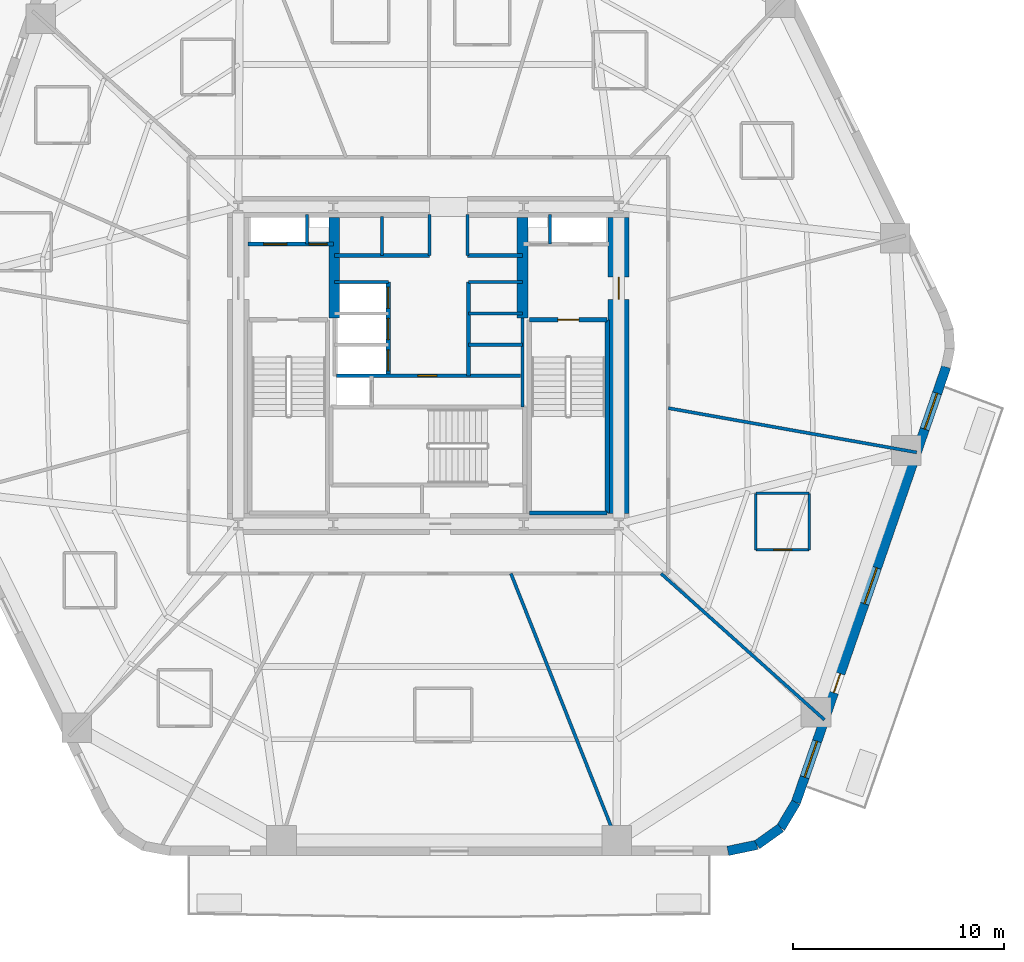
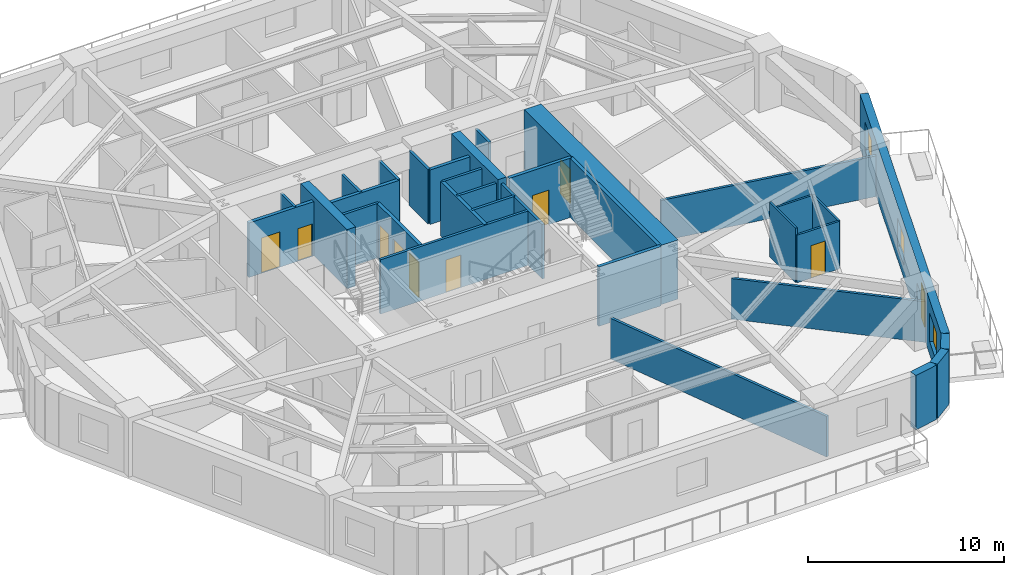
# One storey, part 4 of 10: 33 walls, 10 doors, 3 windows, 13 openings.
"""IFC4 building model written with IfcOpenShell, lengths in metres."""

from ifc_helpers import new_model, si_unit, direction, frame, frame_2d, origin, place, context, subcontext, project, spatial, rectangle, extrude, material, layer, layer_set, type_object, element, fill, save


model = new_model("IFC4")

# Units and contexts
model_context = context("Model", 3, precision=1e-05, world=origin(), true_north=direction((0.0, 1.0)))
body_context = subcontext(model_context, "Body", "Model", "MODEL_VIEW")
ifc_project = project(units=[si_unit("LENGTHUNIT", "METRE"), si_unit("AREAUNIT", "SQUARE_METRE"), si_unit("VOLUMEUNIT", "CUBIC_METRE"), si_unit("PLANEANGLEUNIT", "RADIAN"), si_unit("MASSUNIT", "GRAM", prefix="KILO")], contexts=[model_context])

# Site, building, storey
site_placement = place(None, origin())
site = spatial("IfcSite", under=ifc_project, at=site_placement, CompositionType="ELEMENT")
building_placement = place(site_placement, origin())
building = spatial("IfcBuilding", under=site, at=building_placement, Name="Kilnhurst Terrace Hotel", CompositionType="ELEMENT")
storey_placement = place(building_placement, frame((0.0, 0.0, 67.5)))
storey = spatial("IfcBuildingStorey", under=building, at=storey_placement, Name="L15", CompositionType="ELEMENT", Elevation=67.5)

# Walls
ifc_material_1 = material(Name="Precast concrete C40/50", Category="concrete")
ifc_layer_1 = layer(ifc_material_1, 0.449951171875, Name="Precast concrete C40/50")
ifc_layer_set_1 = layer_set([ifc_layer_1], Name="Precast concrete C40/50")
wall_type_1 = type_object("IfcWallType", Name="WL-BRK-450", PredefinedType="SOLIDWALL", material=ifc_layer_set_1)
wall_1_placement = place(storey_placement, frame((14.168212890625, -22.97509765625, 0.0), z_axis=(0.0, 0.0, 1.0), x_axis=(0.978770371074, 0.204959900243, 0.0)))
element("IfcWall", 1, at=wall_1_placement, inside=storey, type_object=wall_type_1, Name="L15 Rounded Corner Brick Wall C2.1", PredefinedType="SOLIDWALL", context=body_context, shape_type="SweptSolid", body=[
    extrude(rectangle(XDim=1.405517578125, YDim=0.449951171875, at=frame_2d((0.70263671875, 0.0))), origin(), (0.0, 0.0, 1.0), 3.39990234375),
])
wall_2_placement = place(storey_placement, frame((15.5439453125, -22.68701171875, 0.0), z_axis=(0.0, 0.0, 1.0), x_axis=(0.814210854316, 0.580569276412, 0.0)))
element("IfcWall", 2, at=wall_2_placement, inside=storey, type_object=wall_type_1, Name="L15 Rounded Corner Brick Wall C2.2", PredefinedType="SOLIDWALL", context=body_context, shape_type="SweptSolid", body=[
    extrude(rectangle(XDim=1.38134765625, YDim=0.449951171875, at=frame_2d((0.690673828125, 0.0))), origin(), (0.0, 0.0, 1.0), 3.39990234375),
])
wall_3_placement = place(storey_placement, frame((16.668701171875, -21.885009765625, 0.0), z_axis=(0.0, 0.0, 1.0), x_axis=(0.512936712947, 0.858426425799, 0.0)))
element("IfcWall", 3, at=wall_3_placement, inside=storey, type_object=wall_type_1, Name="L15 Rounded Corner Brick Wall C2.3", PredefinedType="SOLIDWALL", context=body_context, shape_type="SweptSolid", body=[
    extrude(rectangle(XDim=1.405517578125, YDim=0.449951171875, at=frame_2d((0.70263671875, 0.0))), origin(), (0.0, 0.0, 1.0), 3.39990234375),
])

# Wall, openings, door, windows
wall_4_placement = place(storey_placement, frame((17.3896484375, -20.678466796875, 0.0), z_axis=(0.0, 0.0, 1.0), x_axis=(0.326068018294, 0.945346310854, 0.0)))
wall_4 = element("IfcWall", 4, at=wall_4_placement, inside=storey, type_object=wall_type_1, Name="L15 Exterior Brick Facade Wall F2", PredefinedType="SOLIDWALL", context=body_context, shape_type="SweptSolid", body=[
    extrude(rectangle(XDim=21.79296875, YDim=0.449951171875, at=frame_2d((10.896484375, 0.0))), origin(), (0.0, 0.0, 1.0), 3.39990234375),
])
opening_1_placement = place(wall_4_placement, frame((5.492919921875, 0.0, 0.0)))
opening_1 = element("IfcOpeningElement", 5, at=opening_1_placement, cuts=wall_4, Name="Opening BD-950", PredefinedType="OPENING", context=body_context, shape_type="SweptSolid", body=[
    extrude(rectangle(XDim=0.949951171875, YDim=2.14990234375, at=frame_2d((0.47509765625, 1.074951171875))), frame((0.0, 0.23486328125, 0.0), z_axis=(0.0, -1.0, 0.0), x_axis=(1.0, 0.0, 0.0)), (0.0, 0.0, 1.0), 0.469970703125),
])
opening_2_placement = place(wall_4_placement, frame((1.260009765625, 0.0, 0.800048828125)))
opening_2 = element("IfcOpeningElement", 6, at=opening_2_placement, cuts=wall_4, Name="Opening W-01", PredefinedType="OPENING", context=body_context, shape_type="SweptSolid", body=[
    extrude(rectangle(XDim=1.800048828125, YDim=1.800048828125, at=frame_2d((0.89990234375, 0.89990234375))), frame((0.0, 0.23486328125, 0.0), z_axis=(0.0, -1.0, 0.0), x_axis=(1.0, 0.0, 0.0)), (0.0, 0.0, 1.0), 0.469970703125),
])
opening_3_placement = place(wall_4_placement, frame((9.943115234375, 0.0, 0.800048828125)))
opening_3 = element("IfcOpeningElement", 7, at=opening_3_placement, cuts=wall_4, Name="Opening W-01", PredefinedType="OPENING", context=body_context, shape_type="SweptSolid", body=[
    extrude(rectangle(XDim=1.800048828125, YDim=1.800048828125, at=frame_2d((0.89990234375, 0.89990234375))), frame((0.0, 0.23486328125, 0.0), z_axis=(0.0, -1.0, 0.0), x_axis=(1.0, 0.0, 0.0)), (0.0, 0.0, 1.0), 0.469970703125),
])
opening_4_placement = place(wall_4_placement, frame((18.679931640625, 0.0, 0.800048828125)))
opening_4 = element("IfcOpeningElement", 8, at=opening_4_placement, cuts=wall_4, Name="Opening W-01", PredefinedType="OPENING", context=body_context, shape_type="SweptSolid", body=[
    extrude(rectangle(XDim=1.800048828125, YDim=1.800048828125, at=frame_2d((0.89990234375, 0.89990234375))), frame((0.0, 0.23486328125, 0.0), z_axis=(0.0, -1.0, 0.0), x_axis=(1.0, 0.0, 0.0)), (0.0, 0.0, 1.0), 0.469970703125),
])
ifc_material_2 = material(Name="Thermally Broken Bronze Aluminium Alloy 6063-T6 and Laminated Glass", Category="aluminium")
door_type_1 = type_object("IfcDoorType", Name="DR-EXT-BAL-950", OperationType="NOTDEFINED", PredefinedType="DOOR", material=ifc_material_2)
door_1_placement = place(opening_1_placement, origin())
door_1 = element("IfcDoor", 9, at=door_1_placement, inside=storey, type_object=door_type_1, Name="L15 Planted Balcony Door BAL-L1B", OperationType="SINGLE_SWING_RIGHT", OverallHeight=2.14990234375, OverallWidth=0.949951171875, PredefinedType="DOOR", context=body_context, shape_type="SweptSolid", body=[
    extrude(rectangle(XDim=0.949951171875, YDim=2.14990234375, at=frame_2d((0.47509765625, 1.074951171875))), frame((0.0, 0.02490234375, 0.0), z_axis=(0.0, -1.0, 0.0), x_axis=(1.0, 0.0, 0.0)), (0.0, 0.0, 1.0), 0.050048828125),
])
fill(opening_1, door_1)
ifc_material_3 = material(Name="Thermally Broken Bronze Aluminium Alloy 6063-T6 and Low-E Glass", Category="aluminium")
window_type = type_object("IfcWindowType", Name="WIN-1800X1800", PartitioningType="SINGLE_PANEL", PredefinedType="WINDOW", material=ifc_material_3)
window_1_placement = place(opening_2_placement, origin())
window_1 = element("IfcWindow", 10, at=window_1_placement, inside=storey, type_object=window_type, Name="L15 Deep-Set Masonry Window F2.1", OverallHeight=1.800048828125, OverallWidth=1.800048828125, PartitioningType="SINGLE_PANEL", PredefinedType="WINDOW", context=body_context, shape_type="SweptSolid", body=[
    extrude(rectangle(XDim=1.800048828125, YDim=1.800048828125, at=frame_2d((0.89990234375, 0.89990234375))), frame((0.0, 0.030029296875, 0.0), z_axis=(0.0, -1.0, 0.0), x_axis=(1.0, 0.0, 0.0)), (0.0, 0.0, 1.0), 0.06005859375),
])
fill(opening_2, window_1)
window_2_placement = place(opening_3_placement, origin())
window_2 = element("IfcWindow", 11, at=window_2_placement, inside=storey, type_object=window_type, Name="L15 Deep-Set Masonry Window F2.2", OverallHeight=1.800048828125, OverallWidth=1.800048828125, PartitioningType="SINGLE_PANEL", PredefinedType="WINDOW", context=body_context, shape_type="SweptSolid", body=[
    extrude(rectangle(XDim=1.800048828125, YDim=1.800048828125, at=frame_2d((0.89990234375, 0.89990234375))), frame((0.0, 0.030029296875, 0.0), z_axis=(0.0, -1.0, 0.0), x_axis=(1.0, 0.0, 0.0)), (0.0, 0.0, 1.0), 0.06005859375),
])
fill(opening_3, window_2)
window_3_placement = place(opening_4_placement, origin())
window_3 = element("IfcWindow", 12, at=window_3_placement, inside=storey, type_object=window_type, Name="L15 Deep-Set Masonry Window F2.3", OverallHeight=1.800048828125, OverallWidth=1.800048828125, PartitioningType="SINGLE_PANEL", PredefinedType="WINDOW", context=body_context, shape_type="SweptSolid", body=[
    extrude(rectangle(XDim=1.800048828125, YDim=1.800048828125, at=frame_2d((0.89990234375, 0.89990234375))), frame((0.0, 0.030029296875, 0.0), z_axis=(0.0, -1.0, 0.0), x_axis=(1.0, 0.0, 0.0)), (0.0, 0.0, 1.0), 0.06005859375),
])
fill(opening_4, window_3)

# Wall, opening, door
ifc_material_4 = material(Name="Concrete C80/95", Category="concrete")
ifc_layer_2 = layer(ifc_material_4, 1.0, Name="Concrete C80/95")
ifc_layer_set_2 = layer_set([ifc_layer_2], Name="Concrete C80/95")
wall_type_2 = type_object("IfcWallType", Name="WL-CORE-1000", PredefinedType="SHEAR", material=ifc_layer_set_2)
wall_5_placement = place(storey_placement, frame((9.0, -7.0, 0.0), z_axis=(0.0, 0.0, 1.0), x_axis=(0.0, 1.0, 0.0)))
wall_5 = element("IfcWall", 13, at=wall_5_placement, inside=storey, type_object=wall_type_2, Name="L15 Core East Shear Wall", PredefinedType="SHEAR", context=body_context, shape_type="SweptSolid", body=[
    extrude(rectangle(XDim=14.0, YDim=1.0, at=frame_2d((7.0, 0.0))), origin(), (0.0, 0.0, 1.0), 3.699951171875),
])
opening_5_placement = place(wall_5_placement, frame((10.125, 0.0, 0.0)))
opening_5 = element("IfcOpeningElement", 14, at=opening_5_placement, cuts=wall_5, Name="Opening D-90A", PredefinedType="OPENING", context=body_context, shape_type="SweptSolid", body=[
    extrude(rectangle(XDim=1.050048828125, YDim=2.14990234375, at=frame_2d((0.52490234375, 1.074951171875))), frame((0.0, 0.510009765625, 0.0), z_axis=(0.0, -1.0, 0.0), x_axis=(1.0, 0.0, 0.0)), (0.0, 0.0, 1.0), 1.02001953125),
])
ifc_material_5 = material(Name="Painted Hollow Metal Steel ASTM A36 Fire Door", Category="steel")
door_type_2 = type_object("IfcDoorType", Name="DR-FD90-1050", OperationType="NOTDEFINED", PredefinedType="DOOR", material=ifc_material_5)
door_2_placement = place(opening_5_placement, origin())
door_2 = element("IfcDoor", 15, at=door_2_placement, inside=storey, type_object=door_type_2, Name="L15 East Firefighting Lobby Door", OperationType="SINGLE_SWING_LEFT", OverallHeight=2.14990234375, OverallWidth=1.050048828125, PredefinedType="DOOR", context=body_context, shape_type="SweptSolid", body=[
    extrude(rectangle(XDim=1.050048828125, YDim=2.14990234375, at=frame_2d((0.52490234375, 1.074951171875))), frame((0.0, 0.02490234375, 0.0), z_axis=(0.0, -1.0, 0.0), x_axis=(1.0, 0.0, 0.0)), (0.0, 0.0, 1.0), 0.050048828125),
])
fill(opening_5, door_2)

# Walls
ifc_material_6 = material(Name="Concrete C60/75", Category="concrete")
ifc_layer_3 = layer(ifc_material_6, 0.5, Name="Concrete C60/75")
ifc_layer_set_3 = layer_set([ifc_layer_3], Name="Concrete C60/75")
wall_type_3 = type_object("IfcWallType", Name="WL-CORE-WEB-500", PredefinedType="SHEAR", material=ifc_layer_set_3)
for number, where, z_axis, x_axis, name in (
    (16, (-4.449951171875, 2.25, 0.0), (0.0, 0.0, 1.0), (0.0, 1.0, 0.0), "L15 Core Internal West Shear Web"),
    (17, (4.449951171875, 2.25, 0.0), (0.0, 0.0, 1.0), (0.0, 1.0, 0.0), "L15 Core Internal East Shear Web"),
):
    element("IfcWall", number, at=place(storey_placement, frame(where, z_axis=z_axis, x_axis=x_axis)), inside=storey, type_object=wall_type_3, Name=name, PredefinedType="SHEAR", context=body_context, shape_type="SweptSolid", body=[
        extrude(rectangle(XDim=4.75, YDim=0.5, at=frame_2d((2.375, 0.0))), origin(), (0.0, 0.0, 1.0), 3.699951171875),
    ])
ifc_material_7 = material(Name="STC-58 Acoustic Twin-Frame Guestroom Demising Partition")
ifc_layer_4 = layer(ifc_material_7, 0.14990234375, Name="STC-58 Acoustic Twin-Frame Guestroom Demising Partition")
ifc_layer_set_4 = layer_set([ifc_layer_4], Name="STC-58 Acoustic Twin-Frame Guestroom Demising Partition")
wall_type_4 = type_object("IfcWallType", Name="WL-DEM-150", PredefinedType="PARTITIONING", material=ifc_layer_set_4)
wall_6_placement = place(storey_placement, frame((3.90185546875, -9.85009765625, 0.0), z_axis=(0.0, 0.0, 1.0), x_axis=(0.36828765711, -0.929711891728, 0.0)))
element("IfcWall", 18, at=wall_6_placement, inside=storey, type_object=wall_type_4, Name="L15 Interior Wall WL-L15-DEM-COL10-13-1", PredefinedType="PARTITIONING", context=body_context, shape_type="SweptSolid", body=[
    extrude(rectangle(XDim=14.1171875, YDim=0.14990234375, at=frame_2d((7.05859375, 0.0))), origin(), (0.0, 0.0, 1.0), 2.5400390625),
])
wall_7_placement = place(storey_placement, frame((11.006591796875, -9.85009765625, 0.0), z_axis=(0.0, 0.0, 1.0), x_axis=(0.745177305978, -0.666866390407, 0.0)))
element("IfcWall", 19, at=wall_7_placement, inside=storey, type_object=wall_type_4, Name="L15 Interior Wall WL-L15-DEM-COL11-14-1", PredefinedType="PARTITIONING", context=body_context, shape_type="SweptSolid", body=[
    extrude(rectangle(XDim=10.375244140625, YDim=0.14990234375, at=frame_2d((5.1875, 0.0))), origin(), (0.0, 0.0, 1.0), 2.5400390625),
])
wall_8_placement = place(storey_placement, frame((11.35009765625, -2.022705078125, 0.0), z_axis=(0.0, 0.0, 1.0), x_axis=(0.984493741877, -0.17541970301, 0.0)))
element("IfcWall", 20, at=wall_8_placement, inside=storey, type_object=wall_type_4, Name="L15 Interior Wall WL-L15-DEM-COL12-15-1", PredefinedType="PARTITIONING", context=body_context, shape_type="SweptSolid", body=[
    extrude(rectangle(XDim=11.93701171875, YDim=0.14990234375, at=frame_2d((5.968505859375, 0.0))), origin(), (0.0, 0.0, 1.0), 2.5400390625),
])

# Wall, opening, door
ifc_material_8 = material(Name="120 mm Moisture-Resistant Tile-Backed Bathroom Partition")
ifc_layer_5 = layer(ifc_material_8, 0.1201171875, Name="120 mm Moisture-Resistant Tile-Backed Bathroom Partition")
ifc_layer_set_5 = layer_set([ifc_layer_5], Name="120 mm Moisture-Resistant Tile-Backed Bathroom Partition")
wall_type_5 = type_object("IfcWallType", Name="WL-PART-120", PredefinedType="PARTITIONING", material=ifc_layer_set_5)
wall_9_placement = place(storey_placement, frame((15.49609375, -8.73291015625, 0.0), z_axis=(0.0, 0.0, 1.0), x_axis=(1.0, 0.0, 0.0)))
wall_9 = element("IfcWall", 21, at=wall_9_placement, inside=storey, type_object=wall_type_5, Name="L15 Interior Wall WL-L15-BTH-14-1", PredefinedType="PARTITIONING", context=body_context, shape_type="SweptSolid", body=[
    extrude(rectangle(XDim=2.52001953125, YDim=0.1201171875, at=frame_2d((1.260009765625, 0.0))), origin(), (0.0, 0.0, 1.0), 2.972412109375),
])
opening_6_placement = place(wall_9_placement, frame((0.8349609375, 0.0, 0.0)))
opening_6 = element("IfcOpeningElement", 22, at=opening_6_placement, cuts=wall_9, Name="Opening D-08A", PredefinedType="OPENING", context=body_context, shape_type="SweptSolid", body=[
    extrude(rectangle(XDim=0.85009765625, YDim=2.030029296875, at=frame_2d((0.425048828125, 1.01513671875))), frame((0.0, 0.070068359375, 0.0), z_axis=(0.0, -1.0, 0.0), x_axis=(1.0, 0.0, 0.0)), (0.0, 0.0, 1.0), 0.14013671875),
])
ifc_material_9 = material(Name="Moisture-Resistant Lacquered En-suite Bathroom Door")
door_type_3 = type_object("IfcDoorType", Name="DR-INT-850", OperationType="NOTDEFINED", PredefinedType="DOOR", material=ifc_material_9)
door_3_placement = place(opening_6_placement, origin())
door_3 = element("IfcDoor", 23, at=door_3_placement, inside=storey, type_object=door_type_3, Name="L15 En-suite Bathroom Door 14", OperationType="SINGLE_SWING_LEFT", OverallHeight=2.030029296875, OverallWidth=0.85009765625, PredefinedType="DOOR", context=body_context, shape_type="SweptSolid", body=[
    extrude(rectangle(XDim=0.85009765625, YDim=2.030029296875, at=frame_2d((0.425048828125, 1.01513671875))), frame((0.0, 0.02490234375, 0.0), z_axis=(0.0, -1.0, 0.0), x_axis=(1.0, 0.0, 0.0)), (0.0, 0.0, 1.0), 0.050048828125),
])
fill(opening_6, door_3)

# Walls
wall_10_placement = place(storey_placement, frame((18.01611328125, -8.73291015625, 0.0), z_axis=(0.0, 0.0, 1.0), x_axis=(0.0, 1.0, 0.0)))
element("IfcWall", 24, at=wall_10_placement, inside=storey, type_object=wall_type_5, Name="L15 Interior Wall WL-L15-BTH-14-2", PredefinedType="PARTITIONING", context=body_context, shape_type="SweptSolid", body=[
    extrude(rectangle(XDim=2.679931640625, YDim=0.1201171875, at=frame_2d((1.33984375, 0.0))), origin(), (0.0, 0.0, 1.0), 2.972412109375),
])
wall_11_placement = place(storey_placement, frame((18.01611328125, -6.052978515625, 0.0), z_axis=(0.0, 0.0, 1.0), x_axis=(-1.0, 0.0, 0.0)))
element("IfcWall", 25, at=wall_11_placement, inside=storey, type_object=wall_type_5, Name="L15 Interior Wall WL-L15-BTH-14-3", PredefinedType="PARTITIONING", context=body_context, shape_type="SweptSolid", body=[
    extrude(rectangle(XDim=2.52001953125, YDim=0.1201171875, at=frame_2d((1.260009765625, 0.0))), origin(), (0.0, 0.0, 1.0), 2.972412109375),
])
wall_12_placement = place(storey_placement, frame((15.49609375, -6.052978515625, 0.0), z_axis=(0.0, 0.0, 1.0), x_axis=(0.0, -1.0, 0.0)))
element("IfcWall", 26, at=wall_12_placement, inside=storey, type_object=wall_type_5, Name="L15 Interior Wall WL-L15-BTH-14-4", PredefinedType="PARTITIONING", context=body_context, shape_type="SweptSolid", body=[
    extrude(rectangle(XDim=2.679931640625, YDim=0.1201171875, at=frame_2d((1.33984375, 0.0))), origin(), (0.0, 0.0, 1.0), 3.39990234375),
])
ifc_material_10 = material(Name="Fire-Rated Gypsum Shaftliner Assembly")
ifc_layer_6 = layer(ifc_material_10, 0.14990234375, Name="Fire-Rated Gypsum Shaftliner Assembly")
ifc_layer_set_6 = layer_set([ifc_layer_6], Name="Fire-Rated Gypsum Shaftliner Assembly")
wall_type_6 = type_object("IfcWallType", Name="WL-SHAFT-150", PredefinedType="PARTITIONING", material=ifc_layer_set_6)
for number, where, z_axis, x_axis, name in (
    (27, (-5.75, 5.739990234375, 0.0), (0.0, 0.0, 1.0), (0.0, 1.0, 0.0), "L15 Interior Wall WL-L15-RIS1-DIV"),
    (28, (5.75, 5.739990234375, 0.0), (0.0, 0.0, 1.0), (0.0, 1.0, 0.0), "L15 Interior Wall WL-L15-RIS2-DIV"),
):
    element("IfcWall", number, at=place(storey_placement, frame(where, z_axis=z_axis, x_axis=x_axis)), inside=storey, type_object=wall_type_6, Name=name, PredefinedType="PARTITIONING", context=body_context, shape_type="SweptSolid", body=[
        extrude(rectangle(XDim=1.409912109375, YDim=0.14990234375, at=frame_2d((0.705078125, 0.0))), origin(), (0.0, 0.0, 1.0), 3.39990234375),
    ])
wall_13_placement = place(storey_placement, frame((-2.199951171875, 5.199951171875, 0.0), z_axis=(0.0, 0.0, 1.0), x_axis=(0.0, 1.0, 0.0)))
element("IfcWall", 29, at=wall_13_placement, inside=storey, type_object=wall_type_6, Name="L15 Interior Wall WL-L15-HR-DIV1", PredefinedType="PARTITIONING", context=body_context, shape_type="SweptSolid", body=[
    extrude(rectangle(XDim=1.85009765625, YDim=0.14990234375, at=frame_2d((0.925048828125, 0.0))), origin(), (0.0, 0.0, 1.0), 3.39990234375),
])
for number, where, z_axis, x_axis, name in (
    (30, (0.050048828125, 5.199951171875, 0.0), (0.0, 0.0, 1.0), (0.0, 1.0, 0.0), "L15 Interior Wall WL-L15-HR-PORTAL-W"),
    (31, (1.85009765625, 5.199951171875, 0.0), (0.0, 0.0, 1.0), (0.0, 1.0, 0.0), "L15 Interior Wall WL-L15-HR-PORTAL-E"),
):
    element("IfcWall", number, at=place(storey_placement, frame(where, z_axis=z_axis, x_axis=x_axis)), inside=storey, type_object=wall_type_6, Name=name, PredefinedType="PARTITIONING", context=body_context, shape_type="SweptSolid", body=[
        extrude(rectangle(XDim=1.949951171875, YDim=0.14990234375, at=frame_2d((0.97509765625, 0.0))), origin(), (0.0, 0.0, 1.0), 3.39990234375),
    ])
wall_14_placement = place(storey_placement, frame((4.449951171875, -1.971923828125, 0.0), z_axis=(0.0, 0.0, 1.0), x_axis=(0.0, 1.0, 0.0)))
element("IfcWall", 32, at=wall_14_placement, inside=storey, type_object=wall_type_6, Name="L15 Interior Wall WL-L15-XLOB-E", PredefinedType="PARTITIONING", context=body_context, shape_type="SweptSolid", body=[
    extrude(rectangle(XDim=4.221923828125, YDim=0.14990234375, at=frame_2d((2.11083984375, 0.0))), origin(), (0.0, 0.0, 1.0), 3.39990234375),
])
for number, where, z_axis, x_axis, name in (
    (33, (-4.449951171875, 3.93994140625, 0.0), (0.0, 0.0, 1.0), (1.0, 0.0, 0.0), "L15 Interior Wall WL-L15-LR-NORTH"),
    (34, (1.89990234375, 3.93994140625, 0.0), (0.0, 0.0, 1.0), (1.0, 0.0, 0.0), "L15 Interior Wall WL-L15-MR-NORTH"),
    (35, (1.89990234375, 0.97998046875, 0.0), (0.0, 0.0, 1.0), (1.0, 0.0, 0.0), "L15 Interior Wall WL-L15-MR-D1"),
    (36, (1.89990234375, 2.4599609375, 0.0), (0.0, 0.0, 1.0), (1.0, 0.0, 0.0), "L15 Interior Wall WL-L15-MR-D2"),
):
    element("IfcWall", number, at=place(storey_placement, frame(where, z_axis=z_axis, x_axis=x_axis)), inside=storey, type_object=wall_type_6, Name=name, PredefinedType="PARTITIONING", context=body_context, shape_type="SweptSolid", body=[
        extrude(rectangle(XDim=2.550048828125, YDim=0.14990234375, at=frame_2d((1.27490234375, 0.0))), origin(), (0.0, 0.0, 1.0), 3.39990234375),
    ])

# Wall, opening, door
wall_15_placement = place(storey_placement, frame((-4.360107421875, -0.489990234375, 0.0), z_axis=(0.0, 0.0, 1.0), x_axis=(1.0, 0.0, 0.0)))
wall_15 = element("IfcWall", 37, at=wall_15_placement, inside=storey, type_object=wall_type_6, Name="L15 Interior Wall WL-L15-BOH-N", PredefinedType="PARTITIONING", context=body_context, shape_type="SweptSolid", body=[
    extrude(rectangle(XDim=8.72021484375, YDim=0.14990234375, at=frame_2d((4.360107421875, 0.0))), origin(), (0.0, 0.0, 1.0), 3.39990234375),
])
opening_7_placement = place(wall_15_placement, frame((3.860107421875, 0.0, 0.0)))
opening_7 = element("IfcOpeningElement", 38, at=opening_7_placement, cuts=wall_15, Name="Opening D-60C", PredefinedType="OPENING", context=body_context, shape_type="SweptSolid", body=[
    extrude(rectangle(XDim=0.89990234375, YDim=2.030029296875, at=frame_2d((0.449951171875, 1.01513671875))), frame((0.0, 0.0849609375, 0.0), z_axis=(0.0, -1.0, 0.0), x_axis=(1.0, 0.0, 0.0)), (0.0, 0.0, 1.0), 0.169921875),
])
ifc_material_11 = material(Name="Painted Solid-Core Service Fire Door")
door_type_4 = type_object("IfcDoorType", Name="DR-FD60-900", OperationType="NOTDEFINED", PredefinedType="DOOR", material=ifc_material_11)
door_4_placement = place(opening_7_placement, origin())
door_4 = element("IfcDoor", 39, at=door_4_placement, inside=storey, type_object=door_type_4, Name="L15 Housekeeping Laundry Door", OperationType="SINGLE_SWING_LEFT", OverallHeight=2.030029296875, OverallWidth=0.89990234375, PredefinedType="DOOR", context=body_context, shape_type="SweptSolid", body=[
    extrude(rectangle(XDim=0.89990234375, YDim=2.030029296875, at=frame_2d((0.449951171875, 1.01513671875))), frame((0.0, 0.02490234375, 0.0), z_axis=(0.0, -1.0, 0.0), x_axis=(1.0, 0.0, 0.0)), (0.0, 0.0, 1.0), 0.050048828125),
])
fill(opening_7, door_4)

# Wall, openings, doors
ifc_material_12 = material(Name="Autoclaved Aerated Concrete C30/37 and Gypsum Shaft Assembly", Category="concrete")
ifc_layer_7 = layer(ifc_material_12, 0.199951171875, Name="Autoclaved Aerated Concrete C30/37 and Gypsum Shaft Assembly")
ifc_layer_set_7 = layer_set([ifc_layer_7], Name="Autoclaved Aerated Concrete C30/37 and Gypsum Shaft Assembly")
wall_type_7 = type_object("IfcWallType", Name="WL-SHAFT-200", PredefinedType="PARTITIONING", material=ifc_layer_set_7)
wall_16_placement = place(storey_placement, frame((-8.550048828125, 5.739990234375, 0.0), z_axis=(0.0, 0.0, 1.0), x_axis=(1.0, 0.0, 0.0)))
wall_16 = element("IfcWall", 40, at=wall_16_placement, inside=storey, type_object=wall_type_7, Name="L15 Interior Wall WL-L15-FSAE1-S", PredefinedType="PARTITIONING", context=body_context, shape_type="SweptSolid", body=[
    extrude(rectangle(XDim=4.050048828125, YDim=0.199951171875, at=frame_2d((2.02490234375, 0.0))), origin(), (0.0, 0.0, 1.0), 3.39990234375),
])
opening_8_placement = place(wall_16_placement, frame((0.75, 0.0, 0.0)))
opening_8 = element("IfcOpeningElement", 41, at=opening_8_placement, cuts=wall_16, Name="Opening LD-F1", PredefinedType="OPENING", context=body_context, shape_type="SweptSolid", body=[
    extrude(rectangle(XDim=1.10009765625, YDim=2.199951171875, at=frame_2d((0.550048828125, 1.10009765625))), frame((0.0, 0.10986328125, 0.0), z_axis=(0.0, -1.0, 0.0), x_axis=(1.0, 0.0, 0.0)), (0.0, 0.0, 1.0), 0.219970703125),
])
opening_9_placement = place(wall_16_placement, frame((2.89990234375, 0.0, 0.0)))
opening_9 = element("IfcOpeningElement", 42, at=opening_9_placement, cuts=wall_16, Name="Opening D-60D", PredefinedType="OPENING", context=body_context, shape_type="SweptSolid", body=[
    extrude(rectangle(XDim=0.85009765625, YDim=2.030029296875, at=frame_2d((0.425048828125, 1.01513671875))), frame((0.0, 0.10986328125, 0.0), z_axis=(0.0, -1.0, 0.0), x_axis=(1.0, 0.0, 0.0)), (0.0, 0.0, 1.0), 0.219970703125),
])
ifc_material_13 = material(Name="Painted Hollow Metal Steel ASTM A36 Riser Door", Category="steel")
door_type_5 = type_object("IfcDoorType", Name="DR-FD60-850", OperationType="NOTDEFINED", PredefinedType="DOOR", material=ifc_material_13)
door_5_placement = place(opening_9_placement, origin())
door_5 = element("IfcDoor", 43, at=door_5_placement, inside=storey, type_object=door_type_5, Name="L15 Electrical Riser Door", OperationType="SINGLE_SWING_LEFT", OverallHeight=2.030029296875, OverallWidth=0.85009765625, PredefinedType="DOOR", context=body_context, shape_type="SweptSolid", body=[
    extrude(rectangle(XDim=0.85009765625, YDim=2.030029296875, at=frame_2d((0.425048828125, 1.01513671875))), frame((0.0, 0.02490234375, 0.0), z_axis=(0.0, -1.0, 0.0), x_axis=(1.0, 0.0, 0.0)), (0.0, 0.0, 1.0), 0.050048828125),
])
fill(opening_9, door_5)
ifc_material_14 = material(Name="Bronze-Anodized Stainless Steel AISI 316L Sliding Door", Category="steel")
door_type_6 = type_object("IfcDoorType", Name="DR-LIFT-1100", OperationType="NOTDEFINED", PredefinedType="DOOR", material=ifc_material_14)
door_6_placement = place(opening_8_placement, origin())
door_6 = element("IfcDoor", 44, at=door_6_placement, inside=storey, type_object=door_type_6, Name="L15 FSAE-1 Landing Door", OperationType="SLIDING_TO_LEFT", OverallHeight=2.199951171875, OverallWidth=1.10009765625, PredefinedType="DOOR", context=body_context, shape_type="SweptSolid", body=[
    extrude(rectangle(XDim=1.10009765625, YDim=2.199951171875, at=frame_2d((0.550048828125, 1.10009765625))), frame((0.0, 0.02490234375, 0.0), z_axis=(0.0, -1.0, 0.0), x_axis=(1.0, 0.0, 0.0)), (0.0, 0.0, 1.0), 0.050048828125),
])
fill(opening_8, door_6)

# Walls
wall_17_placement = place(storey_placement, frame((-4.449951171875, 5.199951171875, 0.0), z_axis=(0.0, 0.0, 1.0), x_axis=(1.0, 0.0, 0.0)))
element("IfcWall", 45, at=wall_17_placement, inside=storey, type_object=wall_type_7, Name="L15 Interior Wall WL-L15-HR-SW", PredefinedType="PARTITIONING", context=body_context, shape_type="SweptSolid", body=[
    extrude(rectangle(XDim=4.5, YDim=0.199951171875, at=frame_2d((2.25, 0.0))), origin(), (0.0, 0.0, 1.0), 3.39990234375),
])
wall_18_placement = place(storey_placement, frame((1.85009765625, 5.199951171875, 0.0), z_axis=(0.0, 0.0, 1.0), x_axis=(1.0, 0.0, 0.0)))
element("IfcWall", 46, at=wall_18_placement, inside=storey, type_object=wall_type_7, Name="L15 Interior Wall WL-L15-HR-SE", PredefinedType="PARTITIONING", context=body_context, shape_type="SweptSolid", body=[
    extrude(rectangle(XDim=2.599853515625, YDim=0.199951171875, at=frame_2d((1.2998046875, 0.0))), origin(), (0.0, 0.0, 1.0), 3.39990234375),
])

# Wall, openings, doors
wall_19_placement = place(storey_placement, frame((-1.89990234375, -0.5, 0.0), z_axis=(0.0, 0.0, 1.0), x_axis=(0.0, 1.0, 0.0)))
wall_19 = element("IfcWall", 47, at=wall_19_placement, inside=storey, type_object=wall_type_7, Name="L15 Interior Wall WL-L15-LR-FRONT", PredefinedType="PARTITIONING", context=body_context, shape_type="SweptSolid", body=[
    extrude(rectangle(XDim=4.43994140625, YDim=0.199951171875, at=frame_2d((2.219970703125, 0.0))), origin(), (0.0, 0.0, 1.0), 3.39990234375),
])
opening_10_placement = place(wall_19_placement, frame((0.239990234375, 0.0, 0.0)))
opening_10 = element("IfcOpeningElement", 48, at=opening_10_placement, cuts=wall_19, Name="Opening LD-LR", PredefinedType="OPENING", context=body_context, shape_type="SweptSolid", body=[
    extrude(rectangle(XDim=1.0, YDim=2.199951171875, at=frame_2d((0.5, 1.10009765625))), frame((0.0, 0.10986328125, 0.0), z_axis=(0.0, -1.0, 0.0), x_axis=(1.0, 0.0, 0.0)), (0.0, 0.0, 1.0), 0.219970703125),
])
opening_11_placement = place(wall_19_placement, frame((1.719970703125, 0.0, 0.0)))
opening_11 = element("IfcOpeningElement", 49, at=opening_11_placement, cuts=wall_19, Name="Opening LD-LR", PredefinedType="OPENING", context=body_context, shape_type="SweptSolid", body=[
    extrude(rectangle(XDim=1.0, YDim=2.199951171875, at=frame_2d((0.5, 1.10009765625))), frame((0.0, 0.10986328125, 0.0), z_axis=(0.0, -1.0, 0.0), x_axis=(1.0, 0.0, 0.0)), (0.0, 0.0, 1.0), 0.219970703125),
])
opening_12_placement = place(wall_19_placement, frame((3.199951171875, 0.0, 0.0)))
opening_12 = element("IfcOpeningElement", 50, at=opening_12_placement, cuts=wall_19, Name="Opening LD-LR", PredefinedType="OPENING", context=body_context, shape_type="SweptSolid", body=[
    extrude(rectangle(XDim=1.0, YDim=2.199951171875, at=frame_2d((0.5, 1.10009765625))), frame((0.0, 0.10986328125, 0.0), z_axis=(0.0, -1.0, 0.0), x_axis=(1.0, 0.0, 0.0)), (0.0, 0.0, 1.0), 0.219970703125),
])
door_type_7 = type_object("IfcDoorType", Name="DR-LIFT-1000", OperationType="NOTDEFINED", PredefinedType="DOOR", material=ifc_material_14)
door_7_placement = place(opening_10_placement, origin())
door_7 = element("IfcDoor", 51, at=door_7_placement, inside=storey, type_object=door_type_7, Name="L15 Low Rise Lift LR-1 Landing Door", OperationType="SLIDING_TO_LEFT", OverallHeight=2.199951171875, OverallWidth=1.0, PredefinedType="DOOR", context=body_context, shape_type="SweptSolid", body=[
    extrude(rectangle(XDim=1.0, YDim=2.199951171875, at=frame_2d((0.5, 1.10009765625))), frame((0.0, 0.02490234375, 0.0), z_axis=(0.0, -1.0, 0.0), x_axis=(1.0, 0.0, 0.0)), (0.0, 0.0, 1.0), 0.050048828125),
])
fill(opening_10, door_7)
door_8_placement = place(opening_11_placement, origin())
door_8 = element("IfcDoor", 52, at=door_8_placement, inside=storey, type_object=door_type_7, Name="L15 Low Rise Lift LR-2 Landing Door", OperationType="SLIDING_TO_LEFT", OverallHeight=2.199951171875, OverallWidth=1.0, PredefinedType="DOOR", context=body_context, shape_type="SweptSolid", body=[
    extrude(rectangle(XDim=1.0, YDim=2.199951171875, at=frame_2d((0.5, 1.10009765625))), frame((0.0, 0.02490234375, 0.0), z_axis=(0.0, -1.0, 0.0), x_axis=(1.0, 0.0, 0.0)), (0.0, 0.0, 1.0), 0.050048828125),
])
fill(opening_11, door_8)
door_9_placement = place(opening_12_placement, origin())
door_9 = element("IfcDoor", 53, at=door_9_placement, inside=storey, type_object=door_type_7, Name="L15 Low Rise Lift LR-3 Landing Door", OperationType="SLIDING_TO_LEFT", OverallHeight=2.199951171875, OverallWidth=1.0, PredefinedType="DOOR", context=body_context, shape_type="SweptSolid", body=[
    extrude(rectangle(XDim=1.0, YDim=2.199951171875, at=frame_2d((0.5, 1.10009765625))), frame((0.0, 0.02490234375, 0.0), z_axis=(0.0, -1.0, 0.0), x_axis=(1.0, 0.0, 0.0)), (0.0, 0.0, 1.0), 0.050048828125),
])
fill(opening_12, door_9)

# Walls
wall_20_placement = place(storey_placement, frame((1.89990234375, -0.5, 0.0), z_axis=(0.0, 0.0, 1.0), x_axis=(0.0, 1.0, 0.0)))
element("IfcWall", 54, at=wall_20_placement, inside=storey, type_object=wall_type_7, Name="L15 Interior Wall WL-L15-MR-FRONT", PredefinedType="PARTITIONING", context=body_context, shape_type="SweptSolid", body=[
    extrude(rectangle(XDim=4.43994140625, YDim=0.199951171875, at=frame_2d((2.219970703125, 0.0))), origin(), (0.0, 0.0, 1.0), 3.39990234375),
])
ifc_material_15 = material(Name="Concrete C50/60", Category="concrete")
ifc_layer_8 = layer(ifc_material_15, 0.199951171875, Name="Concrete C50/60")
ifc_layer_set_8 = layer_set([ifc_layer_8], Name="Concrete C50/60")
wall_type_8 = type_object("IfcWallType", Name="WL-STAIR-RC-200", PredefinedType="SHEAR", material=ifc_layer_set_8)
wall_21_placement = place(storey_placement, frame((8.4580078125, -6.985107421875, 0.0), z_axis=(0.0, 0.0, 1.0), x_axis=(0.0, 1.0, 0.0)))
element("IfcWall", 55, at=wall_21_placement, inside=storey, type_object=wall_type_8, Name="L15 Structural Stair Shaft Wall WL-L15-ST2-E", PredefinedType="SHEAR", context=body_context, shape_type="SweptSolid", body=[
    extrude(rectangle(XDim=9.14306640625, YDim=0.199951171875, at=frame_2d((4.571533203125, 0.0))), origin(), (0.0, 0.0, 1.0), 3.699951171875),
])
wall_22_placement = place(storey_placement, frame((4.77197265625, -6.985107421875, 0.0), z_axis=(0.0, 0.0, 1.0), x_axis=(1.0, 0.0, 0.0)))
element("IfcWall", 56, at=wall_22_placement, inside=storey, type_object=wall_type_8, Name="L15 Structural Stair Shaft Wall WL-L15-ST2-S", PredefinedType="SHEAR", context=body_context, shape_type="SweptSolid", body=[
    extrude(rectangle(XDim=3.68603515625, YDim=0.199951171875, at=frame_2d((1.843017578125, 0.0))), origin(), (0.0, 0.0, 1.0), 3.699951171875),
])

# Wall, opening, door
wall_23_placement = place(storey_placement, frame((4.77197265625, 2.157958984375, 0.0), z_axis=(0.0, 0.0, 1.0), x_axis=(1.0, 0.0, 0.0)))
wall_23 = element("IfcWall", 57, at=wall_23_placement, inside=storey, type_object=wall_type_8, Name="L15 Structural Stair Shaft Wall WL-L15-ST2-N", PredefinedType="SHEAR", context=body_context, shape_type="SweptSolid", body=[
    extrude(rectangle(XDim=3.68603515625, YDim=0.199951171875, at=frame_2d((1.843017578125, 0.0))), origin(), (0.0, 0.0, 1.0), 3.699951171875),
])
opening_13_placement = place(wall_23_placement, frame((1.35009765625, 0.0, 0.0)))
opening_13 = element("IfcOpeningElement", 58, at=opening_13_placement, cuts=wall_23, Name="Opening D-90B", PredefinedType="OPENING", context=body_context, shape_type="SweptSolid", body=[
    extrude(rectangle(XDim=1.0, YDim=2.14990234375, at=frame_2d((0.5, 1.074951171875))), frame((0.0, 0.10986328125, 0.0), z_axis=(0.0, -1.0, 0.0), x_axis=(1.0, 0.0, 0.0)), (0.0, 0.0, 1.0), 0.219970703125),
])
door_type_8 = type_object("IfcDoorType", Name="DR-FD90-1000", OperationType="NOTDEFINED", PredefinedType="DOOR", material=ifc_material_5)
door_10_placement = place(opening_13_placement, origin())
door_10 = element("IfcDoor", 59, at=door_10_placement, inside=storey, type_object=door_type_8, Name="L15 Stair ST-2 Door", OperationType="SINGLE_SWING_RIGHT", OverallHeight=2.14990234375, OverallWidth=1.0, PredefinedType="DOOR", context=body_context, shape_type="SweptSolid", body=[
    extrude(rectangle(XDim=1.0, YDim=2.14990234375, at=frame_2d((0.5, 1.074951171875))), frame((0.0, 0.02490234375, 0.0), z_axis=(0.0, -1.0, 0.0), x_axis=(1.0, 0.0, 0.0)), (0.0, 0.0, 1.0), 0.050048828125),
])
fill(opening_13, door_10)

save(model, "model.ifc")
